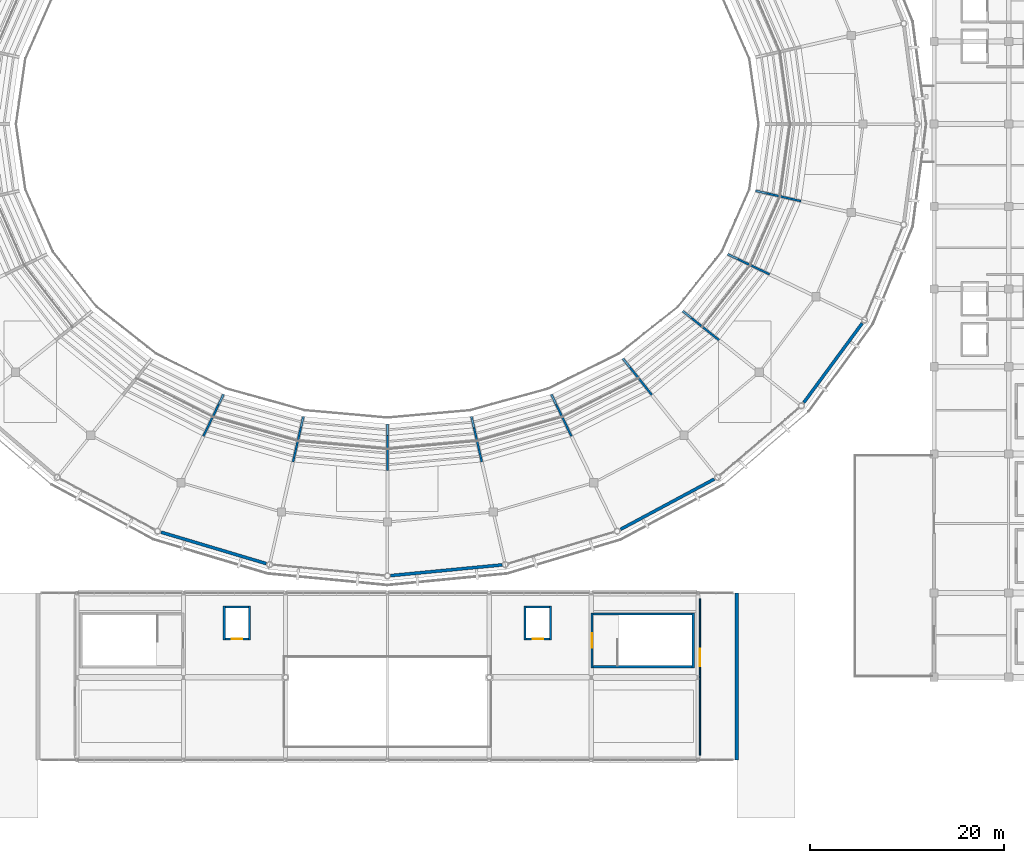
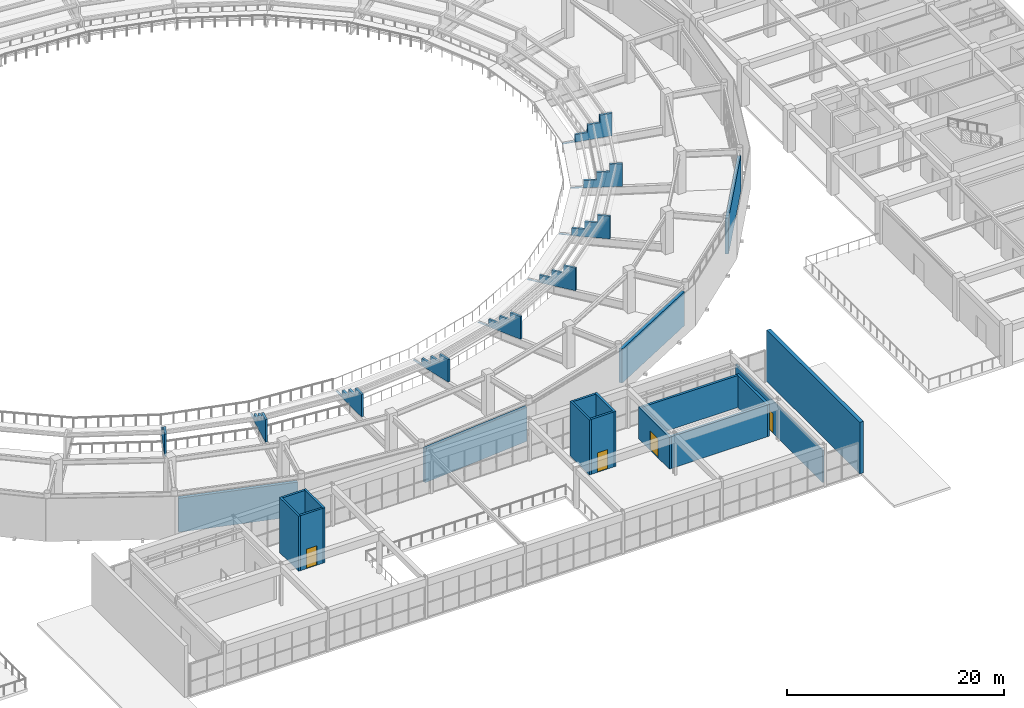
# One storey, part 96 of 122: 27 walls, 4 doors, 4 openings.
"""IFC4 building model written with IfcOpenShell, lengths in metres."""

from ifc_helpers import new_model, si_unit, direction, frame, frame_2d, origin, place, context, subcontext, project, spatial, polyline, rectangle, outline, extrude, material, layer, layer_set, type_object, element, fill, save


model = new_model("IFC4")

# Units and contexts
model_context = context("Model", 3, precision=1e-05, world=origin(), true_north=direction((0.0, 1.0)))
body_context = subcontext(model_context, "Body", "Model", "MODEL_VIEW")
ifc_project = project(units=[si_unit("LENGTHUNIT", "METRE"), si_unit("AREAUNIT", "SQUARE_METRE"), si_unit("VOLUMEUNIT", "CUBIC_METRE"), si_unit("PLANEANGLEUNIT", "RADIAN"), si_unit("MASSUNIT", "GRAM", prefix="KILO")], contexts=[model_context])

# Site, building, storey
site_placement = place(None, origin())
site = spatial("IfcSite", under=ifc_project, at=site_placement, CompositionType="ELEMENT")
building_placement = place(site_placement, origin())
building = spatial("IfcBuilding", under=site, at=building_placement, Name="Cuetzalor Civic Arena", CompositionType="ELEMENT")
storey_placement = place(building_placement, frame((0.0, 0.0, 16.199951171875)))
storey = spatial("IfcBuildingStorey", under=building, at=storey_placement, Name="L03", CompositionType="ELEMENT", Elevation=16.199951171875)

# Wall, opening, door
ifc_material_1 = material(Name="Acoustic steel-stud gypsum partition", Category="steel")
ifc_layer_1 = layer(ifc_material_1, 0.14990234375)
ifc_layer_set_1 = layer_set([ifc_layer_1], Name="Acoustic steel-stud gypsum partition")
wall_type_1 = type_object("IfcWallType", Name="AcousticGypsumPartition_150", PredefinedType="PARTITIONING", material=ifc_layer_set_1)
wall_1_placement = place(storey_placement, frame((32.199951171875, -65.0, 0.0), z_axis=(0.0, 0.0, 1.0), x_axis=(0.0, 1.0, 0.0)))
wall_1 = element("IfcWall", 1, at=wall_1_placement, inside=storey, type_object=wall_type_1, Name="Interior Partition IWALL:L03:0386", PredefinedType="PARTITIONING", context=body_context, shape_type="SweptSolid", body=[
    extrude(rectangle(XDim=16.10009765625, YDim=0.14990234375, at=frame_2d((8.050048828125, 0.0))), origin(), (0.0, 0.0, 1.0), 3.60498046875),
])
opening_1_placement = place(wall_1_placement, frame((9.14990234375, 0.0, 0.0)))
opening_1 = element("IfcOpeningElement", 2, at=opening_1_placement, cuts=wall_1, Name="Opening ID-06", PredefinedType="OPENING", context=body_context, shape_type="SweptSolid", body=[
    extrude(rectangle(XDim=1.800048828125, YDim=2.199951171875, at=frame_2d((0.89990234375, 1.10009765625))), frame((0.0, 0.0849609375, 0.0), z_axis=(0.0, -1.0, 0.0), x_axis=(1.0, 0.0, 0.0)), (0.0, 0.0, 1.0), 0.169921875),
])
ifc_material_2 = material(Name="Glazed bronze acoustic double door", Category="metal")
door_type_1 = type_object("IfcDoorType", Name="PublicDoubleDoor_1800x2200", OperationType="DOUBLE_DOOR_SINGLE_SWING", PredefinedType="DOOR", material=ifc_material_2)
door_1_placement = place(opening_1_placement, origin())
door_1 = element("IfcDoor", 3, at=door_1_placement, inside=storey, type_object=door_type_1, Name="Door to Civic Gallery Banquet Hall East L03", OperationType="DOUBLE_DOOR_SINGLE_SWING", OverallHeight=2.199951171875, OverallWidth=1.800048828125, PredefinedType="DOOR", context=body_context, shape_type="SweptSolid", body=[
    extrude(rectangle(XDim=1.800048828125, YDim=2.199951171875, at=frame_2d((0.89990234375, 1.10009765625))), frame((0.0, 0.02490234375, 0.0), z_axis=(0.0, -1.0, 0.0), x_axis=(1.0, 0.0, 0.0)), (0.0, 0.0, 1.0), 0.050048828125),
])
fill(opening_1, door_1)

ifc_material_3 = material(Name="Concrete C40/50", Category="concrete")
ifc_layer_2 = layer(ifc_material_3, 0.25)
ifc_layer_set_2 = layer_set([ifc_layer_2], Name="Concrete C40/50")
wall_type_2 = type_object("IfcWallType", Name="ConcreteCoreShearWall_250", PredefinedType="SHEAR", material=ifc_layer_set_2)
wall_2_placement = place(storey_placement, frame((21.074951171875, -56.050048828125, 0.0), z_axis=(0.0, 0.0, 1.0), x_axis=(0.0, 1.0, 0.0)))
wall_2 = element("IfcWall", 4, at=wall_2_placement, inside=storey, type_object=wall_type_2, Name="Stair Core Shear Wall ST-11-L03-W", PredefinedType="SHEAR", context=body_context, shape_type="SweptSolid", body=[
    extrude(rectangle(XDim=5.699951171875, YDim=0.25, at=frame_2d((2.85009765625, 0.0))), origin(), (0.0, 0.0, 1.0), 3.60009765625),
])
opening_2_placement = place(wall_2_placement, frame((2.10009765625, 0.0, 0.0)))
opening_2 = element("IfcOpeningElement", 5, at=opening_2_placement, cuts=wall_2, Name="Opening FD-03", PredefinedType="OPENING", context=body_context, shape_type="SweptSolid", body=[
    extrude(rectangle(XDim=1.5, YDim=2.199951171875, at=frame_2d((0.75, 1.10009765625))), frame((0.0, 0.135009765625, 0.0), z_axis=(0.0, -1.0, 0.0), x_axis=(1.0, 0.0, 0.0)), (0.0, 0.0, 1.0), 0.27001953125),
])
ifc_material_4 = material(Name="Fire-rated steel stair exit double door", Category="steel")
door_type_2 = type_object("IfcDoorType", Name="StairFireDoubleDoor_1500x2200", OperationType="DOUBLE_DOOR_SINGLE_SWING", PredefinedType="DOOR", material=ifc_material_4)
door_2_placement = place(opening_2_placement, origin())
door_2 = element("IfcDoor", 6, at=door_2_placement, inside=storey, type_object=door_type_2, Name="Fire Stair Door ST-11 L03", OperationType="DOUBLE_DOOR_SINGLE_SWING", OverallHeight=2.199951171875, OverallWidth=1.5, PredefinedType="DOOR", context=body_context, shape_type="SweptSolid", body=[
    extrude(rectangle(XDim=1.5, YDim=2.199951171875, at=frame_2d((0.75, 1.10009765625))), frame((0.0, 0.02490234375, 0.0), z_axis=(0.0, -1.0, 0.0), x_axis=(1.0, 0.0, 0.0)), (0.0, 0.0, 1.0), 0.050048828125),
])
fill(opening_2, door_2)

# Walls
wall_3_placement = place(storey_placement, frame((21.199951171875, -50.47509765625, 0.0), z_axis=(0.0, 0.0, 1.0), x_axis=(1.0, 0.0, 0.0)))
element("IfcWall", 7, at=wall_3_placement, inside=storey, type_object=wall_type_2, Name="Stair Core Shear Wall ST-11-L03-N", PredefinedType="SHEAR", context=body_context, shape_type="SweptSolid", body=[
    extrude(rectangle(XDim=10.199951171875, YDim=0.25, at=frame_2d((5.10009765625, 0.0))), origin(), (0.0, 0.0, 1.0), 3.60009765625),
])
wall_4_placement = place(storey_placement, frame((31.52490234375, -50.35009765625, 0.0), z_axis=(0.0, 0.0, 1.0), x_axis=(0.0, -1.0, 0.0)))
element("IfcWall", 8, at=wall_4_placement, inside=storey, type_object=wall_type_2, Name="Stair Core Shear Wall ST-11-L03-E", PredefinedType="SHEAR", context=body_context, shape_type="SweptSolid", body=[
    extrude(rectangle(XDim=5.699951171875, YDim=0.25, at=frame_2d((2.85009765625, 0.0))), origin(), (0.0, 0.0, 1.0), 3.60009765625),
])
wall_5_placement = place(storey_placement, frame((31.39990234375, -55.925048828125, 0.0), z_axis=(0.0, 0.0, 1.0), x_axis=(-1.0, 0.0, 0.0)))
element("IfcWall", 9, at=wall_5_placement, inside=storey, type_object=wall_type_2, Name="Stair Core Shear Wall ST-11-L03-S", PredefinedType="SHEAR", context=body_context, shape_type="SweptSolid", body=[
    extrude(rectangle(XDim=10.199951171875, YDim=0.25, at=frame_2d((5.10009765625, 0.0))), origin(), (0.0, 0.0, 1.0), 3.60009765625),
])
ifc_material_5 = material(Name="Precast concrete C40/50 insulated cladding", Category="concrete")
ifc_layer_3 = layer(ifc_material_5, 0.320068359375)
ifc_layer_set_3 = layer_set([ifc_layer_3], Name="Precast concrete C40/50 insulated cladding")
wall_type_3 = type_object("IfcWallType", Name="InsulatedPrecastWall_320", PredefinedType="SOLIDWALL", material=ifc_layer_set_3)
wall_6_placement = place(storey_placement, frame((-12.48486328125, -45.279541015625, 0.0), z_axis=(0.0, 0.0, 1.0), x_axis=(-0.958192076012, 0.286125751144, 0.0)))
element("IfcWall", 10, at=wall_6_placement, inside=storey, type_object=wall_type_3, Name="Drum Acoustic Backing Wall L03-052", PredefinedType="SOLIDWALL", context=body_context, shape_type="SweptSolid", body=[
    extrude(rectangle(XDim=11.31005859375, YDim=0.320068359375, at=frame_2d((5.655029296875, 0.0))), origin(), (0.0, 0.0, 1.0), 3.83203125),
])
wall_7_placement = place(storey_placement, frame((11.8251953125, -45.4130859375, 0.0), z_axis=(0.0, 0.0, 1.0), x_axis=(-0.995408913067, -0.095713613383, 0.0)))
element("IfcWall", 11, at=wall_7_placement, inside=storey, type_object=wall_type_3, Name="Drum Acoustic Backing Wall L03-053", PredefinedType="SOLIDWALL", context=body_context, shape_type="SweptSolid", body=[
    extrude(rectangle(XDim=11.56494140625, YDim=0.320068359375, at=frame_2d((5.782470703125, 0.0))), origin(), (0.0, 0.0, 1.0), 3.83203125),
])
wall_8_placement = place(storey_placement, frame((33.663330078125, -36.580810546875, 0.0), z_axis=(0.0, 0.0, 1.0), x_axis=(-0.881305503949, -0.472546938102, 0.0)))
element("IfcWall", 12, at=wall_8_placement, inside=storey, type_object=wall_type_3, Name="Drum Acoustic Backing Wall L03-054", PredefinedType="SOLIDWALL", context=body_context, shape_type="SweptSolid", body=[
    extrude(rectangle(XDim=10.9462890625, YDim=0.320068359375, at=frame_2d((5.47314453125, 0.0))), origin(), (0.0, 0.0, 1.0), 3.83203125),
])
wall_9_placement = place(storey_placement, frame((48.90576171875, -20.526123046875, 0.0), z_axis=(0.0, 0.0, 1.0), x_axis=(-0.592929724135, -0.805254209698, 0.0)))
element("IfcWall", 13, at=wall_9_placement, inside=storey, type_object=wall_type_3, Name="Drum Acoustic Backing Wall L03-055", PredefinedType="SOLIDWALL", context=body_context, shape_type="SweptSolid", body=[
    extrude(rectangle(XDim=10.14404296875, YDim=0.320068359375, at=frame_2d((5.072021484375, 0.0))), origin(), (0.0, 0.0, 1.0), 4.052978515625),
])
ifc_material_6 = material(Name="Concrete C40/50", Category="concrete")
ifc_layer_4 = layer(ifc_material_6, 0.219970703125)
ifc_layer_set_4 = layer_set([ifc_layer_4], Name="Concrete C40/50")
wall_type_4 = type_object("IfcWallType", Name="LiftShaftShearWall_220", PredefinedType="SHEAR", material=ifc_layer_set_4)
wall_10_placement = place(storey_placement, frame((-16.81005859375, -53.169921875, 0.0), z_axis=(0.0, 0.0, 1.0), x_axis=(0.0, 1.0, 0.0)))
element("IfcWall", 14, at=wall_10_placement, inside=storey, type_object=wall_type_4, Name="Lift Shaft Wall LP-01-L03-W", PredefinedType="SHEAR", context=body_context, shape_type="SweptSolid", body=[
    extrude(rectangle(XDim=3.5400390625, YDim=0.219970703125, at=frame_2d((1.77001953125, 0.0))), origin(), (0.0, 0.0, 1.0), 6.199951171875),
])
wall_11_placement = place(storey_placement, frame((-16.699951171875, -49.739990234375, 0.0), z_axis=(0.0, 0.0, 1.0), x_axis=(1.0, 0.0, 0.0)))
element("IfcWall", 15, at=wall_11_placement, inside=storey, type_object=wall_type_4, Name="Lift Shaft Wall LP-01-L03-N", PredefinedType="SHEAR", context=body_context, shape_type="SweptSolid", body=[
    extrude(rectangle(XDim=2.39990234375, YDim=0.219970703125, at=frame_2d((1.199951171875, 0.0))), origin(), (0.0, 0.0, 1.0), 6.199951171875),
])
wall_12_placement = place(storey_placement, frame((-14.18994140625, -49.6298828125, 0.0), z_axis=(0.0, 0.0, 1.0), x_axis=(0.0, -1.0, 0.0)))
element("IfcWall", 16, at=wall_12_placement, inside=storey, type_object=wall_type_4, Name="Lift Shaft Wall LP-01-L03-E", PredefinedType="SHEAR", context=body_context, shape_type="SweptSolid", body=[
    extrude(rectangle(XDim=3.5400390625, YDim=0.219970703125, at=frame_2d((1.77001953125, 0.0))), origin(), (0.0, 0.0, 1.0), 6.199951171875),
])

# Wall, opening, door
wall_13_placement = place(storey_placement, frame((-14.300048828125, -53.06005859375, 0.0), z_axis=(0.0, 0.0, 1.0), x_axis=(-1.0, 0.0, 0.0)))
wall_13 = element("IfcWall", 17, at=wall_13_placement, inside=storey, type_object=wall_type_4, Name="Lift Shaft Wall LP-01-L03-S", PredefinedType="SHEAR", context=body_context, shape_type="SweptSolid", body=[
    extrude(rectangle(XDim=2.39990234375, YDim=0.219970703125, at=frame_2d((1.199951171875, 0.0))), origin(), (0.0, 0.0, 1.0), 6.199951171875),
])
opening_3_placement = place(wall_13_placement, frame((0.64990234375, 0.0, 0.0)))
opening_3 = element("IfcOpeningElement", 18, at=opening_3_placement, cuts=wall_13, Name="Opening LD-01", PredefinedType="OPENING", context=body_context, shape_type="SweptSolid", body=[
    extrude(rectangle(XDim=1.10009765625, YDim=2.199951171875, at=frame_2d((0.550048828125, 1.10009765625))), frame((0.0, 0.1201171875, 0.0), z_axis=(0.0, -1.0, 0.0), x_axis=(1.0, 0.0, 0.0)), (0.0, 0.0, 1.0), 0.239990234375),
])
ifc_material_7 = material(Name="Brushed stainless steel sliding lift landing door", Category="steel")
door_type_3 = type_object("IfcDoorType", Name="LiftLandingSlidingDoor_1100x2200", OperationType="SLIDING_TO_LEFT", PredefinedType="DOOR", material=ifc_material_7)
door_3_placement = place(opening_3_placement, origin())
door_3 = element("IfcDoor", 19, at=door_3_placement, inside=storey, type_object=door_type_3, Name="Lift Landing Sliding Door LP-01 L03", OperationType="SLIDING_TO_LEFT", OverallHeight=2.199951171875, OverallWidth=1.10009765625, PredefinedType="DOOR", context=body_context, shape_type="SweptSolid", body=[
    extrude(rectangle(XDim=1.10009765625, YDim=2.199951171875, at=frame_2d((0.550048828125, 1.10009765625))), frame((0.0, 0.02490234375, 0.0), z_axis=(0.0, -1.0, 0.0), x_axis=(1.0, 0.0, 0.0)), (0.0, 0.0, 1.0), 0.050048828125),
])
fill(opening_3, door_3)

# Walls
wall_14_placement = place(storey_placement, frame((14.18994140625, -53.169921875, 0.0), z_axis=(0.0, 0.0, 1.0), x_axis=(0.0, 1.0, 0.0)))
element("IfcWall", 20, at=wall_14_placement, inside=storey, type_object=wall_type_4, Name="Lift Shaft Wall LP-02-L03-W", PredefinedType="SHEAR", context=body_context, shape_type="SweptSolid", body=[
    extrude(rectangle(XDim=3.5400390625, YDim=0.219970703125, at=frame_2d((1.77001953125, 0.0))), origin(), (0.0, 0.0, 1.0), 6.199951171875),
])
wall_15_placement = place(storey_placement, frame((14.300048828125, -49.739990234375, 0.0), z_axis=(0.0, 0.0, 1.0), x_axis=(1.0, 0.0, 0.0)))
element("IfcWall", 21, at=wall_15_placement, inside=storey, type_object=wall_type_4, Name="Lift Shaft Wall LP-02-L03-N", PredefinedType="SHEAR", context=body_context, shape_type="SweptSolid", body=[
    extrude(rectangle(XDim=2.39990234375, YDim=0.219970703125, at=frame_2d((1.199951171875, 0.0))), origin(), (0.0, 0.0, 1.0), 6.199951171875),
])
wall_16_placement = place(storey_placement, frame((16.81005859375, -49.6298828125, 0.0), z_axis=(0.0, 0.0, 1.0), x_axis=(0.0, -1.0, 0.0)))
element("IfcWall", 22, at=wall_16_placement, inside=storey, type_object=wall_type_4, Name="Lift Shaft Wall LP-02-L03-E", PredefinedType="SHEAR", context=body_context, shape_type="SweptSolid", body=[
    extrude(rectangle(XDim=3.5400390625, YDim=0.219970703125, at=frame_2d((1.77001953125, 0.0))), origin(), (0.0, 0.0, 1.0), 6.199951171875),
])

# Wall, opening, door
wall_17_placement = place(storey_placement, frame((16.699951171875, -53.06005859375, 0.0), z_axis=(0.0, 0.0, 1.0), x_axis=(-1.0, 0.0, 0.0)))
wall_17 = element("IfcWall", 23, at=wall_17_placement, inside=storey, type_object=wall_type_4, Name="Lift Shaft Wall LP-02-L03-S", PredefinedType="SHEAR", context=body_context, shape_type="SweptSolid", body=[
    extrude(rectangle(XDim=2.39990234375, YDim=0.219970703125, at=frame_2d((1.199951171875, 0.0))), origin(), (0.0, 0.0, 1.0), 6.199951171875),
])
opening_4_placement = place(wall_17_placement, frame((0.64990234375, 0.0, 0.0)))
opening_4 = element("IfcOpeningElement", 24, at=opening_4_placement, cuts=wall_17, Name="Opening LD-01", PredefinedType="OPENING", context=body_context, shape_type="SweptSolid", body=[
    extrude(rectangle(XDim=1.10009765625, YDim=2.199951171875, at=frame_2d((0.550048828125, 1.10009765625))), frame((0.0, 0.1201171875, 0.0), z_axis=(0.0, -1.0, 0.0), x_axis=(1.0, 0.0, 0.0)), (0.0, 0.0, 1.0), 0.239990234375),
])
door_4_placement = place(opening_4_placement, origin())
door_4 = element("IfcDoor", 25, at=door_4_placement, inside=storey, type_object=door_type_3, Name="Lift Landing Sliding Door LP-02 L03", OperationType="SLIDING_TO_LEFT", OverallHeight=2.199951171875, OverallWidth=1.10009765625, PredefinedType="DOOR", context=body_context, shape_type="SweptSolid", body=[
    extrude(rectangle(XDim=1.10009765625, YDim=2.199951171875, at=frame_2d((0.550048828125, 1.10009765625))), frame((0.0, 0.02490234375, 0.0), z_axis=(0.0, -1.0, 0.0), x_axis=(1.0, 0.0, 0.0)), (0.0, 0.0, 1.0), 0.050048828125),
])
fill(opening_4, door_4)

# Walls
ifc_material_8 = material(Name="Precast concrete C40/50", Category="concrete")
ifc_layer_5 = layer(ifc_material_8, 0.2099609375)
ifc_layer_set_5 = layer_set([ifc_layer_5], Name="Precast concrete C40/50")
wall_type_5 = type_object("IfcWallType", Name="PrecastBowlRiserWall_210", PredefinedType="SHEAR", material=ifc_layer_set_5)
wall_18_placement = place(storey_placement, frame((-16.878173828125, -27.83984375, 0.9111328125), z_axis=(0.0, 0.0, 1.0), x_axis=(-0.433858438067, -0.900981051808, 0.0)))
element("IfcWall", 26, at=wall_18_placement, inside=storey, type_object=wall_type_5, Name="Upper Bowl Radial Raker Web Wall S20", PredefinedType="SHEAR", context=body_context, shape_type="SweptSolid", body=[
    extrude(outline(polyline([(0.0, 0.0), (4.800048828125, 0.0), (4.800048828125, 2.5439453125), (3.610107421875, 2.5439453125), (3.60009765625, 1.69384765625), (2.409912109375, 1.69384765625), (2.39990234375, 0.843994140625), (1.2099609375, 0.843994140625), (1.199951171875, 0.039794921875), (0.0, 0.039794921875), (0.0, 0.0)])), frame((0.0, 0.10498046875, 0.0), z_axis=(0.0, -1.0, 0.0), x_axis=(1.0, 0.0, 0.0)), (0.0, 0.0, 1.0), 0.2099609375),
])
wall_19_placement = place(storey_placement, frame((-8.656005859375, -30.125244140625, 0.9111328125), z_axis=(0.0, 0.0, 1.0), x_axis=(-0.222522339933, -0.974927591276, 0.0)))
element("IfcWall", 27, at=wall_19_placement, inside=storey, type_object=wall_type_5, Name="Upper Bowl Radial Raker Web Wall S21", PredefinedType="SHEAR", context=body_context, shape_type="SweptSolid", body=[
    extrude(outline(polyline([(0.0, 0.0), (4.800048828125, 0.0), (4.7998046875, 2.5439453125), (3.60986328125, 2.5439453125), (3.599853515625, 1.69384765625), (2.409912109375, 1.69384765625), (2.39990234375, 0.843994140625), (1.2099609375, 0.843994140625), (1.199951171875, 0.039794921875), (0.0, 0.039794921875), (0.0, 0.0)])), frame((0.0, 0.10498046875, 0.0), z_axis=(0.0, -1.0, 0.0), x_axis=(1.0, 0.0, 0.0)), (0.0, 0.0, 1.0), 0.2099609375),
])
wall_20_placement = place(storey_placement, frame((0.0, -30.89990234375, 0.9111328125), z_axis=(0.0, 0.0, 1.0), x_axis=(0.0, -1.0, 0.0)))
element("IfcWall", 28, at=wall_20_placement, inside=storey, type_object=wall_type_5, Name="Upper Bowl Radial Raker Web Wall S22", PredefinedType="SHEAR", context=body_context, shape_type="SweptSolid", body=[
    extrude(outline(polyline([(0.0, 0.0), (4.800048828125, 0.0), (4.800048828125, 2.5439453125), (3.610107421875, 2.5439453125), (3.60009765625, 1.69384765625), (2.409912109375, 1.69384765625), (2.39990234375, 0.843994140625), (1.2099609375, 0.843994140625), (1.199951171875, 0.039794921875), (0.0, 0.039794921875), (0.0, 0.0)])), frame((0.0, 0.10498046875, 0.0), z_axis=(0.0, -1.0, 0.0), x_axis=(1.0, 0.0, 0.0)), (0.0, 0.0, 1.0), 0.2099609375),
])
wall_21_placement = place(storey_placement, frame((8.656005859375, -30.125244140625, 0.9111328125), z_axis=(0.0, 0.0, 1.0), x_axis=(0.222522339933, -0.974927591276, 0.0)))
element("IfcWall", 29, at=wall_21_placement, inside=storey, type_object=wall_type_5, Name="Upper Bowl Radial Raker Web Wall S23", PredefinedType="SHEAR", context=body_context, shape_type="SweptSolid", body=[
    extrude(outline(polyline([(0.0, 0.0), (4.800048828125, 0.0), (4.7998046875, 2.5439453125), (3.60986328125, 2.5439453125), (3.599853515625, 1.69384765625), (2.409912109375, 1.69384765625), (2.39990234375, 0.843994140625), (1.2099609375, 0.843994140625), (1.199951171875, 0.039794921875), (0.0, 0.039794921875), (0.0, 0.0)])), frame((0.0, 0.10498046875, 0.0), z_axis=(0.0, -1.0, 0.0), x_axis=(1.0, 0.0, 0.0)), (0.0, 0.0, 1.0), 0.2099609375),
])
wall_22_placement = place(storey_placement, frame((16.878173828125, -27.83984375, 0.9111328125), z_axis=(0.0, 0.0, 1.0), x_axis=(0.433858438067, -0.900981051808, 0.0)))
element("IfcWall", 30, at=wall_22_placement, inside=storey, type_object=wall_type_5, Name="Upper Bowl Radial Raker Web Wall S24", PredefinedType="SHEAR", context=body_context, shape_type="SweptSolid", body=[
    extrude(outline(polyline([(0.0, 0.0), (4.800048828125, 0.0), (4.800048828125, 2.5439453125), (3.610107421875, 2.5439453125), (3.60009765625, 1.69384765625), (2.409912109375, 1.69384765625), (2.39990234375, 0.843994140625), (1.2099609375, 0.843994140625), (1.199951171875, 0.039794921875), (0.0, 0.039794921875), (0.0, 0.0)])), frame((0.0, 0.10498046875, 0.0), z_axis=(0.0, -1.0, 0.0), x_axis=(1.0, 0.0, 0.0)), (0.0, 0.0, 1.0), 0.2099609375),
])
wall_23_placement = place(storey_placement, frame((24.25390625, -24.15869140625, 0.9111328125), z_axis=(0.0, 0.0, 1.0), x_axis=(0.623490937913, -0.781830576494, 0.0)))
element("IfcWall", 31, at=wall_23_placement, inside=storey, type_object=wall_type_5, Name="Upper Bowl Radial Raker Web Wall S25", PredefinedType="SHEAR", context=body_context, shape_type="SweptSolid", body=[
    extrude(outline(polyline([(0.0, 0.0), (4.7998046875, 0.0), (4.800048828125, 2.5439453125), (3.610107421875, 2.5439453125), (3.60009765625, 1.69384765625), (2.409912109375, 1.69384765625), (2.39990234375, 0.843994140625), (1.2099609375, 0.843994140625), (1.199951171875, 0.039794921875), (0.0, 0.039794921875), (0.0, 0.0)])), frame((0.0, 0.10498046875, 0.0), z_axis=(0.0, -1.0, 0.0), x_axis=(1.0, 0.0, 0.0)), (0.0, 0.0, 1.0), 0.2099609375),
])
wall_24_placement = place(storey_placement, frame((30.4130859375, -19.265869140625, 0.9111328125), z_axis=(0.0, 0.0, 1.0), x_axis=(0.781850348235, -0.623466144201, 0.0)))
element("IfcWall", 32, at=wall_24_placement, inside=storey, type_object=wall_type_5, Name="Upper Bowl Radial Raker Web Wall S26", PredefinedType="SHEAR", context=body_context, shape_type="SweptSolid", body=[
    extrude(outline(polyline([(0.0, 0.0), (4.800048828125, 0.0), (4.800048828125, 2.5439453125), (3.610107421875, 2.5439453125), (3.60009765625, 1.69384765625), (2.409912109375, 1.69384765625), (2.39990234375, 0.843994140625), (1.2099609375, 0.843994140625), (1.199951171875, 0.039794921875), (0.0, 0.039794921875), (0.0, 0.0)])), frame((0.0, 0.10498046875, 0.0), z_axis=(0.0, -1.0, 0.0), x_axis=(1.0, 0.0, 0.0)), (0.0, 0.0, 1.0), 0.2099609375),
])
wall_25_placement = place(storey_placement, frame((35.047607421875, -13.406982421875, 0.9111328125), z_axis=(0.0, 0.0, 1.0), x_axis=(0.900981051808, -0.433858438067, 0.0)))
element("IfcWall", 33, at=wall_25_placement, inside=storey, type_object=wall_type_5, Name="Upper Bowl Radial Raker Web Wall S27", PredefinedType="SHEAR", context=body_context, shape_type="SweptSolid", body=[
    extrude(outline(polyline([(0.0, 0.0), (4.800048828125, 0.0), (4.7998046875, 2.5439453125), (3.60986328125, 2.5439453125), (3.599853515625, 1.69384765625), (2.409912109375, 1.69384765625), (2.39990234375, 0.843994140625), (1.2099609375, 0.843994140625), (1.199951171875, 0.039794921875), (0.0, 0.039794921875), (0.0, 0.0)])), frame((0.0, 0.10498046875, 0.0), z_axis=(0.0, -1.0, 0.0), x_axis=(1.0, 0.0, 0.0)), (0.0, 0.0, 1.0), 0.2099609375),
])
wall_26_placement = place(storey_placement, frame((37.9248046875, -6.8759765625, 0.9111328125), z_axis=(0.0, 0.0, 1.0), x_axis=(0.974925072584, -0.222533374683, 0.0)))
element("IfcWall", 34, at=wall_26_placement, inside=storey, type_object=wall_type_5, Name="Upper Bowl Radial Raker Web Wall S28", PredefinedType="SHEAR", context=body_context, shape_type="SweptSolid", body=[
    extrude(outline(polyline([(0.0, 0.0), (4.7998046875, 0.0), (4.7998046875, 2.5439453125), (3.60986328125, 2.5439453125), (3.599853515625, 1.69384765625), (2.409912109375, 1.69384765625), (2.39990234375, 0.843994140625), (1.2099609375, 0.843994140625), (1.199951171875, 0.039794921875), (0.0, 0.039794921875), (0.0, 0.0)])), frame((0.0, 0.10498046875, 0.0), z_axis=(0.0, -1.0, 0.0), x_axis=(1.0, 0.0, 0.0)), (0.0, 0.0, 1.0), 0.2099609375),
])
ifc_material_9 = material(Name="Polychrome Talavera ceramic on Concrete C35/45", Category="concrete")
ifc_layer_6 = layer(ifc_material_9, 0.3798828125)
ifc_layer_set_6 = layer_set([ifc_layer_6], Name="Polychrome Talavera ceramic on Concrete C35/45")
wall_type_6 = type_object("IfcWallType", Name="TalaveraSpandrelWall_380", PredefinedType="SOLIDWALL", material=ifc_layer_set_6)
wall_27_placement = place(storey_placement, frame((36.0, -48.300048828125, 0.0), z_axis=(0.0, 0.0, 1.0), x_axis=(0.0, -1.0, 0.0)))
element("IfcWall", 35, at=wall_27_placement, inside=storey, type_object=wall_type_6, Name="Foyer L03 East Gable Wall L03-120", PredefinedType="SOLIDWALL", context=body_context, shape_type="SweptSolid", body=[
    extrude(rectangle(XDim=17.199951171875, YDim=0.3798828125, at=frame_2d((8.60009765625, 0.0))), origin(), (0.0, 0.0, 1.0), 5.800048828125),
])

save(model, "model.ifc")
